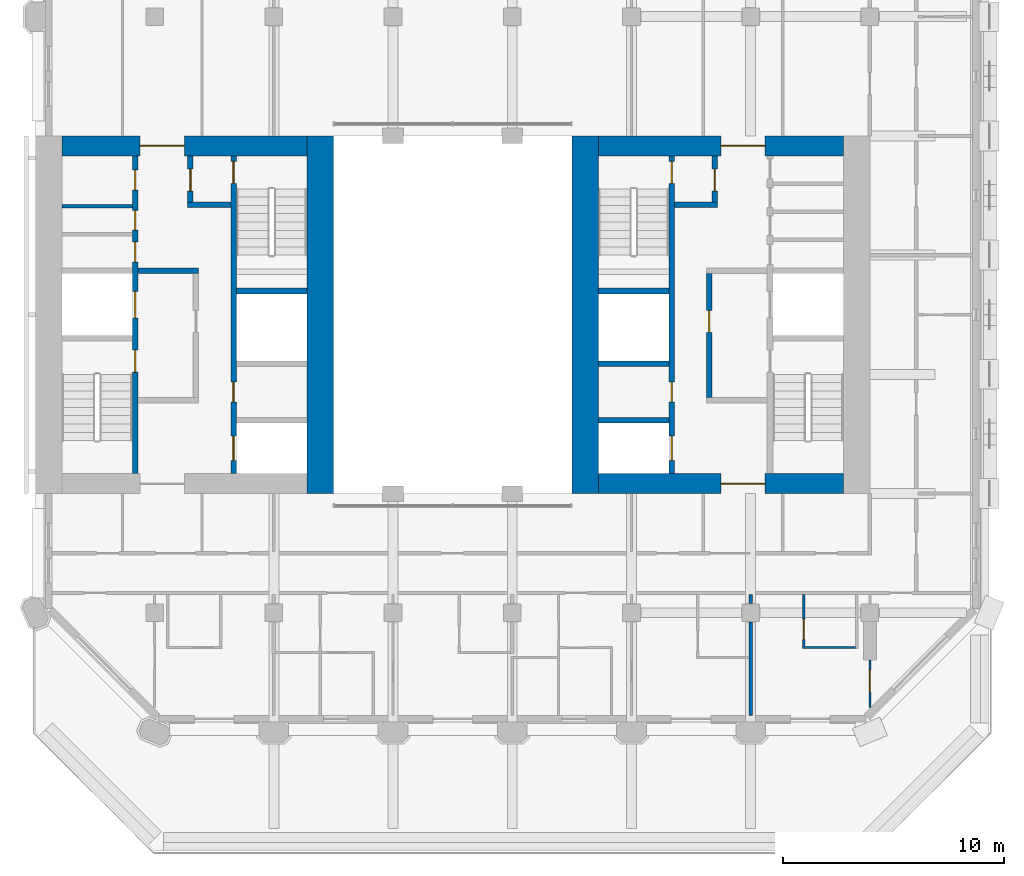
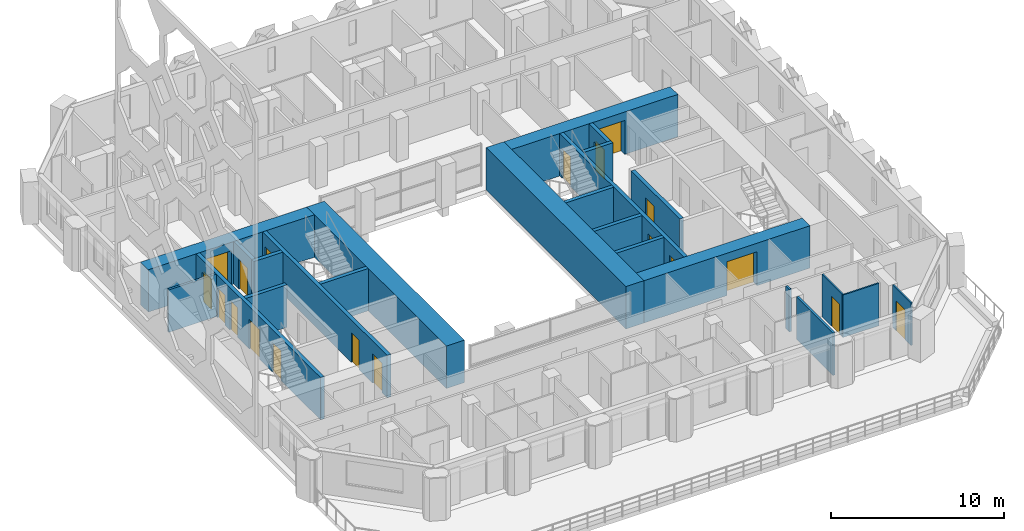
# One storey, part 10 of 17: 24 walls, 19 doors, 19 openings.
"""IFC4 building model written with IfcOpenShell, lengths in metres."""

from ifc_helpers import new_model, si_unit, direction, frame, frame_2d, origin, place, context, subcontext, project, spatial, rectangle, extrude, material, layer, layer_set, type_object, element, fill, save


model = new_model("IFC4")

# Units and contexts
model_context = context("Model", 3, precision=1e-05, world=origin(), true_north=direction((0.0, 1.0)))
body_context = subcontext(model_context, "Body", "Model", "MODEL_VIEW")
ifc_project = project(units=[si_unit("LENGTHUNIT", "METRE"), si_unit("AREAUNIT", "SQUARE_METRE"), si_unit("VOLUMEUNIT", "CUBIC_METRE"), si_unit("PLANEANGLEUNIT", "RADIAN"), si_unit("MASSUNIT", "GRAM", prefix="KILO")], contexts=[model_context])

# Site, building, storey
site_placement = place(None, origin())
site = spatial("IfcSite", under=ifc_project, at=site_placement, CompositionType="ELEMENT")
building_placement = place(site_placement, origin())
building = spatial("IfcBuilding", under=site, at=building_placement, Name="Tabaq Tower and Sports Hall", CompositionType="ELEMENT")
storey_placement = place(building_placement, frame((0.0, 0.0, 180.699951171875)))
storey = spatial("IfcBuildingStorey", under=building, at=storey_placement, Name="L43", CompositionType="ELEMENT", Elevation=180.699951171875)

# Walls
ifc_material_1 = material(Name="Blockwork", Category="masonry")
ifc_layer_1 = layer(ifc_material_1, 0.14990234375)
ifc_layer_set_1 = layer_set([ifc_layer_1], Name="Core room partition 150 Blockwork")
wall_type_1 = type_object("IfcWallType", Name="Core room partition 150 Blockwork", PredefinedType="PARTITIONING", material=ifc_layer_set_1)
wall_1_placement = place(storey_placement, frame((6.60009765625, 29.217041015625, 0.0), z_axis=(0.0, 0.0, 1.0), x_axis=(1.0, 0.0, 0.0)))
element("IfcWall", 1, at=wall_1_placement, inside=storey, type_object=wall_type_1, Name="Core room partition W L43", PredefinedType="PARTITIONING", context=body_context, shape_type="SweptSolid", body=[
    extrude(rectangle(XDim=3.199951171875, YDim=0.14990234375, at=frame_2d((1.60009765625, 0.0))), origin(), (0.0, 0.0, 1.0), 3.0),
])
ifc_material_2 = material(Name="Concrete C50/60", Category="concrete")
ifc_layer_2 = layer(ifc_material_2, 1.199951171875)
ifc_layer_set_2 = layer_set([ifc_layer_2], Name="Core wall 1200 Concrete C50/60")
wall_type_2 = type_object("IfcWallType", Name="Core wall 1200 Concrete C50/60", PredefinedType="SOLIDWALL", material=ifc_layer_set_2)
for number, where, z_axis, x_axis, name in (
    (2, (18.300048828125, 32.39990234375, 0.0), (0.0, 0.0, 1.0), (0.0, -1.0, 0.0), "Core wall W L43"),
    (3, (30.300048828125, 16.199951171875, 0.0), (0.0, 0.0, 1.0), (0.0, 1.0, 0.0), "Core wall E L43"),
):
    element("IfcWall", number, at=place(storey_placement, frame(where, z_axis=z_axis, x_axis=x_axis)), inside=storey, type_object=wall_type_2, Name=name, PredefinedType="SOLIDWALL", context=body_context, shape_type="SweptSolid", body=[
        extrude(rectangle(XDim=16.199951171875, YDim=1.199951171875, at=frame_2d((8.10009765625, 0.0))), origin(), (0.0, 0.0, 1.0), 3.0),
    ])

# Wall, opening, door
ifc_material_3 = material(Name="Concrete C50/60", Category="concrete")
ifc_layer_3 = layer(ifc_material_3, 0.89990234375)
ifc_layer_set_3 = layer_set([ifc_layer_3], Name="Core wall 900 Concrete C50/60")
wall_type_3 = type_object("IfcWallType", Name="Core wall 900 Concrete C50/60", PredefinedType="SOLIDWALL", material=ifc_layer_set_3)
wall_2_placement = place(storey_placement, frame((6.60009765625, 31.949951171875, 0.0), z_axis=(0.0, 0.0, 1.0), x_axis=(1.0, 0.0, 0.0)))
wall_2 = element("IfcWall", 4, at=wall_2_placement, inside=storey, type_object=wall_type_3, Name="Core wall W L43", PredefinedType="SOLIDWALL", context=body_context, shape_type="SweptSolid", body=[
    extrude(rectangle(XDim=11.099853515625, YDim=0.89990234375, at=frame_2d((5.5498046875, 0.0))), origin(), (0.0, 0.0, 1.0), 3.0),
])
opening_1_placement = place(wall_2_placement, frame((3.550048828125, 0.0, 0.0)))
opening_1 = element("IfcOpeningElement", 5, at=opening_1_placement, cuts=wall_2, Name="Opening PD-WL43-02", PredefinedType="OPENING", context=body_context, shape_type="SweptSolid", body=[
    extrude(rectangle(XDim=2.0, YDim=2.39990234375, at=frame_2d((1.0, 1.199951171875))), frame((0.0, 0.449951171875, 0.0), z_axis=(0.0, -1.0, 0.0), x_axis=(1.0, 0.0, 0.0)), (0.0, 0.0, 1.0), 0.89990234375),
])
ifc_material_4 = material(Name="Steel fire door", Category="steel")
door_type_1 = type_object("IfcDoorType", Name="Core entrance door 2000", OperationType="DOUBLE_DOOR_SINGLE_SWING", PredefinedType="DOOR", material=ifc_material_4)
door_1_placement = place(opening_1_placement, origin())
door_1 = element("IfcDoor", 6, at=door_1_placement, inside=storey, type_object=door_type_1, Name="Core entrance north W L43", OperationType="DOUBLE_DOOR_SINGLE_SWING", OverallHeight=2.39990234375, OverallWidth=2.0, PredefinedType="DOOR", context=body_context, shape_type="SweptSolid", body=[
    extrude(rectangle(XDim=2.0, YDim=2.39990234375, at=frame_2d((1.0, 1.199951171875))), frame((0.0, 0.02490234375, 0.0), z_axis=(0.0, -1.0, 0.0), x_axis=(1.0, 0.0, 0.0)), (0.0, 0.0, 1.0), 0.050048828125),
])
fill(opening_1, door_1)

wall_3_placement = place(storey_placement, frame((42.0, 16.64990234375, 0.0), z_axis=(0.0, 0.0, 1.0), x_axis=(-1.0, 0.0, 0.0)))
wall_3 = element("IfcWall", 7, at=wall_3_placement, inside=storey, type_object=wall_type_3, Name="Core wall E L43", PredefinedType="SOLIDWALL", context=body_context, shape_type="SweptSolid", body=[
    extrude(rectangle(XDim=11.10009765625, YDim=0.89990234375, at=frame_2d((5.550048828125, 0.0))), origin(), (0.0, 0.0, 1.0), 3.0),
])
opening_2_placement = place(wall_3_placement, frame((3.550048828125, 0.0, 0.0)))
opening_2 = element("IfcOpeningElement", 8, at=opening_2_placement, cuts=wall_3, Name="Opening PD-EL43-01", PredefinedType="OPENING", context=body_context, shape_type="SweptSolid", body=[
    extrude(rectangle(XDim=2.0, YDim=2.39990234375, at=frame_2d((1.0, 1.199951171875))), frame((0.0, 0.449951171875, 0.0), z_axis=(0.0, -1.0, 0.0), x_axis=(1.0, 0.0, 0.0)), (0.0, 0.0, 1.0), 0.89990234375),
])
door_2_placement = place(opening_2_placement, origin())
door_2 = element("IfcDoor", 9, at=door_2_placement, inside=storey, type_object=door_type_1, Name="Core entrance south E L43", OperationType="DOUBLE_DOOR_SINGLE_SWING", OverallHeight=2.39990234375, OverallWidth=2.0, PredefinedType="DOOR", context=body_context, shape_type="SweptSolid", body=[
    extrude(rectangle(XDim=2.0, YDim=2.39990234375, at=frame_2d((1.0, 1.199951171875))), frame((0.0, 0.02490234375, 0.0), z_axis=(0.0, -1.0, 0.0), x_axis=(1.0, 0.0, 0.0)), (0.0, 0.0, 1.0), 0.050048828125),
])
fill(opening_2, door_2)

wall_4_placement = place(storey_placement, frame((30.89990234375, 31.949951171875, 0.0), z_axis=(0.0, 0.0, 1.0), x_axis=(1.0, 0.0, 0.0)))
wall_4 = element("IfcWall", 10, at=wall_4_placement, inside=storey, type_object=wall_type_3, Name="Core wall E L43", PredefinedType="SOLIDWALL", context=body_context, shape_type="SweptSolid", body=[
    extrude(rectangle(XDim=11.10009765625, YDim=0.89990234375, at=frame_2d((5.550048828125, 0.0))), origin(), (0.0, 0.0, 1.0), 3.0),
])
opening_3_placement = place(wall_4_placement, frame((5.550048828125, 0.0, 0.0)))
opening_3 = element("IfcOpeningElement", 11, at=opening_3_placement, cuts=wall_4, Name="Opening PD-EL43-02", PredefinedType="OPENING", context=body_context, shape_type="SweptSolid", body=[
    extrude(rectangle(XDim=2.0, YDim=2.39990234375, at=frame_2d((1.0, 1.199951171875))), frame((0.0, 0.449951171875, 0.0), z_axis=(0.0, -1.0, 0.0), x_axis=(1.0, 0.0, 0.0)), (0.0, 0.0, 1.0), 0.89990234375),
])
door_3_placement = place(opening_3_placement, origin())
door_3 = element("IfcDoor", 12, at=door_3_placement, inside=storey, type_object=door_type_1, Name="Core entrance north E L43", OperationType="DOUBLE_DOOR_SINGLE_SWING", OverallHeight=2.39990234375, OverallWidth=2.0, PredefinedType="DOOR", context=body_context, shape_type="SweptSolid", body=[
    extrude(rectangle(XDim=2.0, YDim=2.39990234375, at=frame_2d((1.0, 1.199951171875))), frame((0.0, 0.02490234375, 0.0), z_axis=(0.0, -1.0, 0.0), x_axis=(1.0, 0.0, 0.0)), (0.0, 0.0, 1.0), 0.050048828125),
])
fill(opening_3, door_3)

ifc_material_5 = material(Name="Gypsum board on steel studs", Category="steel")
ifc_layer_4 = layer(ifc_material_5, 0.10009765625)
ifc_layer_set_4 = layer_set([ifc_layer_4], Name="Partition 100 Gypsum board")
wall_type_4 = type_object("IfcWallType", Name="Partition 100 Gypsum board", PredefinedType="PARTITIONING", material=ifc_layer_set_4)
wall_5_placement = place(storey_placement, frame((43.199951171875, 6.51220703125, 0.0), z_axis=(0.0, 0.0, 1.0), x_axis=(0.0, 1.0, 0.0)))
wall_5 = element("IfcWall", 13, at=wall_5_placement, inside=storey, type_object=wall_type_4, Name="Partition wall L43", PredefinedType="PARTITIONING", context=body_context, shape_type="SweptSolid", body=[
    extrude(rectangle(XDim=2.1376953125, YDim=0.10009765625, at=frame_2d((1.06884765625, 0.0))), origin(), (0.0, 0.0, 1.0), 3.0),
])
opening_4_placement = place(wall_5_placement, frame((0.703857421875, 0.0, 0.0)))
opening_4 = element("IfcOpeningElement", 14, at=opening_4_placement, cuts=wall_5, Name="Opening L43-044", PredefinedType="OPENING", context=body_context, shape_type="SweptSolid", body=[
    extrude(rectangle(XDim=1.0, YDim=2.10009765625, at=frame_2d((0.5, 1.050048828125))), frame((0.0, 0.050048828125, 0.0), z_axis=(0.0, -1.0, 0.0), x_axis=(1.0, 0.0, 0.0)), (0.0, 0.0, 1.0), 0.10009765625),
])
ifc_material_6 = material(Name="Timber leaf in steel frame", Category="steel")
door_type_2 = type_object("IfcDoorType", Name="Internal door 1000 right hand", OperationType="SINGLE_SWING_RIGHT", PredefinedType="DOOR", material=ifc_material_6)
door_4_placement = place(opening_4_placement, origin())
door_4 = element("IfcDoor", 15, at=door_4_placement, inside=storey, type_object=door_type_2, Name="Internal door L43-044", OperationType="SINGLE_SWING_RIGHT", OverallHeight=2.10009765625, OverallWidth=1.0, PredefinedType="DOOR", context=body_context, shape_type="SweptSolid", body=[
    extrude(rectangle(XDim=1.0, YDim=2.10009765625, at=frame_2d((0.5, 1.050048828125))), frame((0.0, 0.02490234375, 0.0), z_axis=(0.0, -1.0, 0.0), x_axis=(1.0, 0.0, 0.0)), (0.0, 0.0, 1.0), 0.050048828125),
])
fill(opening_4, door_4)

# Wall
wall_6_placement = place(storey_placement, frame((42.550048828125, 9.22509765625, 0.0), z_axis=(0.0, 0.0, 1.0), x_axis=(-1.0, 0.0, 0.0)))
element("IfcWall", 16, at=wall_6_placement, inside=storey, type_object=wall_type_4, Name="Partition wall L43", PredefinedType="PARTITIONING", context=body_context, shape_type="SweptSolid", body=[
    extrude(rectangle(XDim=2.400146484375, YDim=0.10009765625, at=frame_2d((1.2001953125, 0.0))), origin(), (0.0, 0.0, 1.0), 3.0),
])

# Wall, opening, door
wall_7_placement = place(storey_placement, frame((40.199951171875, 9.27490234375, 0.0), z_axis=(0.0, 0.0, 1.0), x_axis=(0.0, 1.0, 0.0)))
wall_7 = element("IfcWall", 17, at=wall_7_placement, inside=storey, type_object=wall_type_4, Name="Partition wall L43", PredefinedType="PARTITIONING", context=body_context, shape_type="SweptSolid", body=[
    extrude(rectangle(XDim=2.35009765625, YDim=0.10009765625, at=frame_2d((1.175048828125, 0.0))), origin(), (0.0, 0.0, 1.0), 3.0),
])
opening_5_placement = place(wall_7_placement, frame((0.324951171875, 0.0, 0.0)))
opening_5 = element("IfcOpeningElement", 18, at=opening_5_placement, cuts=wall_7, Name="Opening L43-023", PredefinedType="OPENING", context=body_context, shape_type="SweptSolid", body=[
    extrude(rectangle(XDim=0.89990234375, YDim=2.10009765625, at=frame_2d((0.449951171875, 1.050048828125))), frame((0.0, 0.050048828125, 0.0), z_axis=(0.0, -1.0, 0.0), x_axis=(1.0, 0.0, 0.0)), (0.0, 0.0, 1.0), 0.10009765625),
])
ifc_material_7 = material(Name="Timber leaf in steel frame", Category="steel")
door_type_3 = type_object("IfcDoorType", Name="Internal door 900 right hand", OperationType="SINGLE_SWING_RIGHT", PredefinedType="DOOR", material=ifc_material_7)
door_5_placement = place(opening_5_placement, origin())
door_5 = element("IfcDoor", 19, at=door_5_placement, inside=storey, type_object=door_type_3, Name="Internal door L43-023", OperationType="SINGLE_SWING_RIGHT", OverallHeight=2.10009765625, OverallWidth=0.89990234375, PredefinedType="DOOR", context=body_context, shape_type="SweptSolid", body=[
    extrude(rectangle(XDim=0.89990234375, YDim=2.10009765625, at=frame_2d((0.449951171875, 1.050048828125))), frame((0.0, 0.02490234375, 0.0), z_axis=(0.0, -1.0, 0.0), x_axis=(1.0, 0.0, 0.0)), (0.0, 0.0, 1.0), 0.050048828125),
])
fill(opening_5, door_5)

# Walls
ifc_material_8 = material(Name="Blockwork", Category="masonry")
ifc_layer_5 = layer(ifc_material_8, 0.14990234375)
ifc_layer_set_5 = layer_set([ifc_layer_5], Name="Separating wall 150 Blockwork")
wall_type_5 = type_object("IfcWallType", Name="Separating wall 150 Blockwork", PredefinedType="PARTITIONING", material=ifc_layer_set_5)
wall_8_placement = place(storey_placement, frame((37.800048828125, 6.15087890625, 0.0), z_axis=(0.0, 0.0, 1.0), x_axis=(0.0, 1.0, 0.0)))
element("IfcWall", 20, at=wall_8_placement, inside=storey, type_object=wall_type_5, Name="Separating wall L43", PredefinedType="PARTITIONING", context=body_context, shape_type="SweptSolid", body=[
    extrude(rectangle(XDim=4.22900390625, YDim=0.14990234375, at=frame_2d((2.114501953125, 0.0))), origin(), (0.0, 0.0, 1.0), 3.0),
])
wall_9_placement = place(storey_placement, frame((37.800048828125, 11.219970703125, 0.0), z_axis=(0.0, 0.0, 1.0), x_axis=(0.0, 1.0, 0.0)))
element("IfcWall", 21, at=wall_9_placement, inside=storey, type_object=wall_type_5, Name="Separating wall L43", PredefinedType="PARTITIONING", context=body_context, shape_type="SweptSolid", body=[
    extrude(rectangle(XDim=0.405029296875, YDim=0.14990234375, at=frame_2d((0.20263671875, 0.0))), origin(), (0.0, 0.0, 1.0), 3.0),
])

# Wall, openings, doors
ifc_material_9 = material(Name="Concrete C40/50", Category="concrete")
ifc_layer_6 = layer(ifc_material_9, 0.25)
ifc_layer_set_6 = layer_set([ifc_layer_6], Name="Shaft and stair wall 250 Concrete C40/50")
wall_type_6 = type_object("IfcWallType", Name="Shaft and stair wall 250 Concrete C40/50", PredefinedType="SOLIDWALL", material=ifc_layer_set_6)
wall_10_placement = place(storey_placement, frame((9.925048828125, 17.10009765625, 0.0), z_axis=(0.0, 0.0, 1.0), x_axis=(0.0, 1.0, 0.0)))
wall_10 = element("IfcWall", 22, at=wall_10_placement, inside=storey, type_object=wall_type_6, Name="Shaft wall W L43", PredefinedType="SOLIDWALL", context=body_context, shape_type="SweptSolid", body=[
    extrude(rectangle(XDim=14.39990234375, YDim=0.25, at=frame_2d((7.199951171875, 0.0))), origin(), (0.0, 0.0, 1.0), 3.0),
])
opening_6_placement = place(wall_10_placement, frame((4.60009765625, 0.0, 0.0)))
opening_6 = element("IfcOpeningElement", 23, at=opening_6_placement, cuts=wall_10, Name="Opening SD-WL43-03", PredefinedType="OPENING", context=body_context, shape_type="SweptSolid", body=[
    extrude(rectangle(XDim=1.0, YDim=2.10009765625, at=frame_2d((0.5, 1.050048828125))), frame((0.0, 0.125, 0.0), z_axis=(0.0, -1.0, 0.0), x_axis=(1.0, 0.0, 0.0)), (0.0, 0.0, 1.0), 0.25),
])
opening_7_placement = place(wall_10_placement, frame((7.0625, 0.0, 0.0)))
opening_7 = element("IfcOpeningElement", 24, at=opening_7_placement, cuts=wall_10, Name="Opening LD-FF1-L43", PredefinedType="OPENING", context=body_context, shape_type="SweptSolid", body=[
    extrude(rectangle(XDim=1.199951171875, YDim=2.10009765625, at=frame_2d((0.60009765625, 1.050048828125))), frame((0.0, 0.125, 0.0), z_axis=(0.0, -1.0, 0.0), x_axis=(1.0, 0.0, 0.0)), (0.0, 0.0, 1.0), 0.25),
])
opening_8_placement = place(wall_10_placement, frame((9.59912109375, 0.0, 0.0)))
opening_8 = element("IfcOpeningElement", 25, at=opening_8_placement, cuts=wall_10, Name="Opening RD-WL43-09", PredefinedType="OPENING", context=body_context, shape_type="SweptSolid", body=[
    extrude(rectangle(XDim=0.89990234375, YDim=2.10009765625, at=frame_2d((0.449951171875, 1.050048828125))), frame((0.0, 0.125, 0.0), z_axis=(0.0, -1.0, 0.0), x_axis=(1.0, 0.0, 0.0)), (0.0, 0.0, 1.0), 0.25),
])
opening_9_placement = place(wall_10_placement, frame((11.032470703125, 0.0, 0.0)))
opening_9 = element("IfcOpeningElement", 26, at=opening_9_placement, cuts=wall_10, Name="Opening RD-WL43-10", PredefinedType="OPENING", context=body_context, shape_type="SweptSolid", body=[
    extrude(rectangle(XDim=0.89990234375, YDim=2.10009765625, at=frame_2d((0.449951171875, 1.050048828125))), frame((0.0, 0.125, 0.0), z_axis=(0.0, -1.0, 0.0), x_axis=(1.0, 0.0, 0.0)), (0.0, 0.0, 1.0), 0.25),
])
opening_10_placement = place(wall_10_placement, frame((12.845947265625, 0.0, 0.0)))
opening_10 = element("IfcOpeningElement", 27, at=opening_10_placement, cuts=wall_10, Name="Opening RD-WL43-11", PredefinedType="OPENING", context=body_context, shape_type="SweptSolid", body=[
    extrude(rectangle(XDim=0.89990234375, YDim=2.10009765625, at=frame_2d((0.449951171875, 1.050048828125))), frame((0.0, 0.125, 0.0), z_axis=(0.0, -1.0, 0.0), x_axis=(1.0, 0.0, 0.0)), (0.0, 0.0, 1.0), 0.25),
])
ifc_material_10 = material(Name="Steel fire door", Category="steel")
door_type_4 = type_object("IfcDoorType", Name="Core room door 900", OperationType="SINGLE_SWING_LEFT", PredefinedType="DOOR", material=ifc_material_10)
door_6_placement = place(opening_8_placement, origin())
door_6 = element("IfcDoor", 28, at=door_6_placement, inside=storey, type_object=door_type_4, Name="Door Accessible WC W L43", OperationType="SINGLE_SWING_LEFT", OverallHeight=2.10009765625, OverallWidth=0.89990234375, PredefinedType="DOOR", context=body_context, shape_type="SweptSolid", body=[
    extrude(rectangle(XDim=0.89990234375, YDim=2.10009765625, at=frame_2d((0.449951171875, 1.050048828125))), frame((0.0, 0.02490234375, 0.0), z_axis=(0.0, -1.0, 0.0), x_axis=(1.0, 0.0, 0.0)), (0.0, 0.0, 1.0), 0.050048828125),
])
fill(opening_8, door_6)
door_7_placement = place(opening_9_placement, origin())
door_7 = element("IfcDoor", 29, at=door_7_placement, inside=storey, type_object=door_type_4, Name="Door Electrical Riser Room W L43", OperationType="SINGLE_SWING_LEFT", OverallHeight=2.10009765625, OverallWidth=0.89990234375, PredefinedType="DOOR", context=body_context, shape_type="SweptSolid", body=[
    extrude(rectangle(XDim=0.89990234375, YDim=2.10009765625, at=frame_2d((0.449951171875, 1.050048828125))), frame((0.0, 0.02490234375, 0.0), z_axis=(0.0, -1.0, 0.0), x_axis=(1.0, 0.0, 0.0)), (0.0, 0.0, 1.0), 0.050048828125),
])
fill(opening_9, door_7)
door_8_placement = place(opening_10_placement, origin())
door_8 = element("IfcDoor", 30, at=door_8_placement, inside=storey, type_object=door_type_4, Name="Door Unisex WC W L43", OperationType="SINGLE_SWING_LEFT", OverallHeight=2.10009765625, OverallWidth=0.89990234375, PredefinedType="DOOR", context=body_context, shape_type="SweptSolid", body=[
    extrude(rectangle(XDim=0.89990234375, YDim=2.10009765625, at=frame_2d((0.449951171875, 1.050048828125))), frame((0.0, 0.02490234375, 0.0), z_axis=(0.0, -1.0, 0.0), x_axis=(1.0, 0.0, 0.0)), (0.0, 0.0, 1.0), 0.050048828125),
])
fill(opening_10, door_8)
ifc_material_11 = material(Name="Stainless steel", Category="steel")
door_type_5 = type_object("IfcDoorType", Name="Lift landing door 1200", OperationType="DOUBLE_DOOR_SLIDING", PredefinedType="DOOR", material=ifc_material_11)
door_9_placement = place(opening_7_placement, origin())
door_9 = element("IfcDoor", 31, at=door_9_placement, inside=storey, type_object=door_type_5, Name="Lift landing door FF1 W L43", OperationType="DOUBLE_DOOR_SLIDING", OverallHeight=2.10009765625, OverallWidth=1.199951171875, PredefinedType="DOOR", context=body_context, shape_type="SweptSolid", body=[
    extrude(rectangle(XDim=1.199951171875, YDim=2.10009765625, at=frame_2d((0.60009765625, 1.050048828125))), frame((0.0, 0.02490234375, 0.0), z_axis=(0.0, -1.0, 0.0), x_axis=(1.0, 0.0, 0.0)), (0.0, 0.0, 1.0), 0.050048828125),
])
fill(opening_7, door_9)
ifc_material_12 = material(Name="Steel fire door", Category="steel")
door_type_6 = type_object("IfcDoorType", Name="Stair door 1000", OperationType="SINGLE_SWING_LEFT", PredefinedType="DOOR", material=ifc_material_12)
door_10_placement = place(opening_6_placement, origin())
door_10 = element("IfcDoor", 32, at=door_10_placement, inside=storey, type_object=door_type_6, Name="Stair door ST1 W L43", OperationType="SINGLE_SWING_LEFT", OverallHeight=2.10009765625, OverallWidth=1.0, PredefinedType="DOOR", context=body_context, shape_type="SweptSolid", body=[
    extrude(rectangle(XDim=1.0, YDim=2.10009765625, at=frame_2d((0.5, 1.050048828125))), frame((0.0, 0.02490234375, 0.0), z_axis=(0.0, -1.0, 0.0), x_axis=(1.0, 0.0, 0.0)), (0.0, 0.0, 1.0), 0.050048828125),
])
fill(opening_6, door_10)

wall_11_placement = place(storey_placement, frame((14.375, 17.10009765625, 0.0), z_axis=(0.0, 0.0, 1.0), x_axis=(0.0, 1.0, 0.0)))
wall_11 = element("IfcWall", 33, at=wall_11_placement, inside=storey, type_object=wall_type_6, Name="Shaft wall W L43", PredefinedType="SOLIDWALL", context=body_context, shape_type="SweptSolid", body=[
    extrude(rectangle(XDim=14.39990234375, YDim=0.25, at=frame_2d((7.199951171875, 0.0))), origin(), (0.0, 0.0, 1.0), 3.0),
])
opening_11_placement = place(wall_11_placement, frame((13.14990234375, 0.0, 0.0)))
opening_11 = element("IfcOpeningElement", 34, at=opening_11_placement, cuts=wall_11, Name="Opening SD-WL43-05", PredefinedType="OPENING", context=body_context, shape_type="SweptSolid", body=[
    extrude(rectangle(XDim=1.0, YDim=2.10009765625, at=frame_2d((0.5, 1.050048828125))), frame((0.0, 0.125, 0.0), z_axis=(0.0, -1.0, 0.0), x_axis=(1.0, 0.0, 0.0)), (0.0, 0.0, 1.0), 0.25),
])
opening_12_placement = place(wall_11_placement, frame((0.60009765625, 0.0, 0.0)))
opening_12 = element("IfcOpeningElement", 35, at=opening_12_placement, cuts=wall_11, Name="Opening LD-MR1-L43", PredefinedType="OPENING", context=body_context, shape_type="SweptSolid", body=[
    extrude(rectangle(XDim=1.10009765625, YDim=2.10009765625, at=frame_2d((0.550048828125, 1.050048828125))), frame((0.0, 0.125, 0.0), z_axis=(0.0, -1.0, 0.0), x_axis=(1.0, 0.0, 0.0)), (0.0, 0.0, 1.0), 0.25),
])
opening_13_placement = place(wall_11_placement, frame((3.25, 0.0, 0.0)))
opening_13 = element("IfcOpeningElement", 36, at=opening_13_placement, cuts=wall_11, Name="Opening RD-WL43-12", PredefinedType="OPENING", context=body_context, shape_type="SweptSolid", body=[
    extrude(rectangle(XDim=0.89990234375, YDim=2.10009765625, at=frame_2d((0.449951171875, 1.050048828125))), frame((0.0, 0.125, 0.0), z_axis=(0.0, -1.0, 0.0), x_axis=(1.0, 0.0, 0.0)), (0.0, 0.0, 1.0), 0.25),
])
door_11_placement = place(opening_13_placement, origin())
door_11 = element("IfcDoor", 37, at=door_11_placement, inside=storey, type_object=door_type_4, Name="Door Cleaner's Store W L43", OperationType="SINGLE_SWING_LEFT", OverallHeight=2.10009765625, OverallWidth=0.89990234375, PredefinedType="DOOR", context=body_context, shape_type="SweptSolid", body=[
    extrude(rectangle(XDim=0.89990234375, YDim=2.10009765625, at=frame_2d((0.449951171875, 1.050048828125))), frame((0.0, 0.02490234375, 0.0), z_axis=(0.0, -1.0, 0.0), x_axis=(1.0, 0.0, 0.0)), (0.0, 0.0, 1.0), 0.050048828125),
])
fill(opening_13, door_11)
ifc_material_13 = material(Name="Stainless steel", Category="steel")
door_type_7 = type_object("IfcDoorType", Name="Lift landing door 1100", OperationType="DOUBLE_DOOR_SLIDING", PredefinedType="DOOR", material=ifc_material_13)
door_12_placement = place(opening_12_placement, origin())
door_12 = element("IfcDoor", 38, at=door_12_placement, inside=storey, type_object=door_type_7, Name="Lift landing door MR1 W L43", OperationType="DOUBLE_DOOR_SLIDING", OverallHeight=2.10009765625, OverallWidth=1.10009765625, PredefinedType="DOOR", context=body_context, shape_type="SweptSolid", body=[
    extrude(rectangle(XDim=1.10009765625, YDim=2.10009765625, at=frame_2d((0.550048828125, 1.050048828125))), frame((0.0, 0.02490234375, 0.0), z_axis=(0.0, -1.0, 0.0), x_axis=(1.0, 0.0, 0.0)), (0.0, 0.0, 1.0), 0.050048828125),
])
fill(opening_12, door_12)
door_13_placement = place(opening_11_placement, origin())
door_13 = element("IfcDoor", 39, at=door_13_placement, inside=storey, type_object=door_type_6, Name="Stair door ST2 W L43", OperationType="SINGLE_SWING_LEFT", OverallHeight=2.10009765625, OverallWidth=1.0, PredefinedType="DOOR", context=body_context, shape_type="SweptSolid", body=[
    extrude(rectangle(XDim=1.0, YDim=2.10009765625, at=frame_2d((0.5, 1.050048828125))), frame((0.0, 0.02490234375, 0.0), z_axis=(0.0, -1.0, 0.0), x_axis=(1.0, 0.0, 0.0)), (0.0, 0.0, 1.0), 0.050048828125),
])
fill(opening_11, door_13)

# Walls
wall_12_placement = place(storey_placement, frame((14.5, 25.375, 0.0), z_axis=(0.0, 0.0, 1.0), x_axis=(1.0, 0.0, 0.0)))
element("IfcWall", 40, at=wall_12_placement, inside=storey, type_object=wall_type_6, Name="Stair enclosure wall W L43", PredefinedType="SOLIDWALL", context=body_context, shape_type="SweptSolid", body=[
    extrude(rectangle(XDim=3.199951171875, YDim=0.25, at=frame_2d((1.60009765625, 0.0))), origin(), (0.0, 0.0, 1.0), 3.0),
])
wall_13_placement = place(storey_placement, frame((10.050048828125, 26.300048828125, 0.0), z_axis=(0.0, 0.0, 1.0), x_axis=(1.0, 0.0, 0.0)))
element("IfcWall", 41, at=wall_13_placement, inside=storey, type_object=wall_type_6, Name="Fire-fighting lobby wall W L43", PredefinedType="SOLIDWALL", context=body_context, shape_type="SweptSolid", body=[
    extrude(rectangle(XDim=2.75, YDim=0.25, at=frame_2d((1.375, 0.0))), origin(), (0.0, 0.0, 1.0), 3.0),
])

# Wall, opening, door
wall_14_placement = place(storey_placement, frame((12.425048828125, 29.39990234375, 0.0), z_axis=(0.0, 0.0, 1.0), x_axis=(0.0, 1.0, 0.0)))
wall_14 = element("IfcWall", 42, at=wall_14_placement, inside=storey, type_object=wall_type_6, Name="Fire-fighting lobby wall W L43", PredefinedType="SOLIDWALL", context=body_context, shape_type="SweptSolid", body=[
    extrude(rectangle(XDim=2.10009765625, YDim=0.25, at=frame_2d((1.050048828125, 0.0))), origin(), (0.0, 0.0, 1.0), 3.0),
])
opening_14_placement = place(wall_14_placement, frame((0.5, 0.0, 0.0)))
opening_14 = element("IfcOpeningElement", 43, at=opening_14_placement, cuts=wall_14, Name="Opening FD-WL43-06", PredefinedType="OPENING", context=body_context, shape_type="SweptSolid", body=[
    extrude(rectangle(XDim=1.0, YDim=2.10009765625, at=frame_2d((0.5, 1.050048828125))), frame((0.0, 0.125, 0.0), z_axis=(0.0, -1.0, 0.0), x_axis=(1.0, 0.0, 0.0)), (0.0, 0.0, 1.0), 0.25),
])
ifc_material_14 = material(Name="Steel fire door", Category="steel")
door_type_8 = type_object("IfcDoorType", Name="Fire-fighting lobby door 1000", OperationType="SINGLE_SWING_LEFT", PredefinedType="DOOR", material=ifc_material_14)
door_14_placement = place(opening_14_placement, origin())
door_14 = element("IfcDoor", 44, at=door_14_placement, inside=storey, type_object=door_type_8, Name="Stair lobby door W L43", OperationType="SINGLE_SWING_LEFT", OverallHeight=2.10009765625, OverallWidth=1.0, PredefinedType="DOOR", context=body_context, shape_type="SweptSolid", body=[
    extrude(rectangle(XDim=1.0, YDim=2.10009765625, at=frame_2d((0.5, 1.050048828125))), frame((0.0, 0.02490234375, 0.0), z_axis=(0.0, -1.0, 0.0), x_axis=(1.0, 0.0, 0.0)), (0.0, 0.0, 1.0), 0.050048828125),
])
fill(opening_14, door_14)

# Wall
wall_15_placement = place(storey_placement, frame((12.300048828125, 29.27490234375, 0.0), z_axis=(0.0, 0.0, 1.0), x_axis=(1.0, 0.0, 0.0)))
element("IfcWall", 45, at=wall_15_placement, inside=storey, type_object=wall_type_6, Name="Fire-fighting lobby wall W L43", PredefinedType="SOLIDWALL", context=body_context, shape_type="SweptSolid", body=[
    extrude(rectangle(XDim=1.949951171875, YDim=0.25, at=frame_2d((0.97509765625, 0.0))), origin(), (0.0, 0.0, 1.0), 3.0),
])

# Wall, openings, doors
wall_16_placement = place(storey_placement, frame((34.22509765625, 17.10009765625, 0.0), z_axis=(0.0, 0.0, 1.0), x_axis=(0.0, 1.0, 0.0)))
wall_16 = element("IfcWall", 46, at=wall_16_placement, inside=storey, type_object=wall_type_6, Name="Shaft wall E L43", PredefinedType="SOLIDWALL", context=body_context, shape_type="SweptSolid", body=[
    extrude(rectangle(XDim=14.39990234375, YDim=0.25, at=frame_2d((7.199951171875, 0.0))), origin(), (0.0, 0.0, 1.0), 3.0),
])
opening_15_placement = place(wall_16_placement, frame((13.14990234375, 0.0, 0.0)))
opening_15 = element("IfcOpeningElement", 47, at=opening_15_placement, cuts=wall_16, Name="Opening SD-EL43-05", PredefinedType="OPENING", context=body_context, shape_type="SweptSolid", body=[
    extrude(rectangle(XDim=1.0, YDim=2.10009765625, at=frame_2d((0.5, 1.050048828125))), frame((0.0, 0.125, 0.0), z_axis=(0.0, -1.0, 0.0), x_axis=(1.0, 0.0, 0.0)), (0.0, 0.0, 1.0), 0.25),
])
opening_16_placement = place(wall_16_placement, frame((0.60009765625, 0.0, 0.0)))
opening_16 = element("IfcOpeningElement", 48, at=opening_16_placement, cuts=wall_16, Name="Opening LD-MR2-L43", PredefinedType="OPENING", context=body_context, shape_type="SweptSolid", body=[
    extrude(rectangle(XDim=1.10009765625, YDim=2.10009765625, at=frame_2d((0.550048828125, 1.050048828125))), frame((0.0, 0.125, 0.0), z_axis=(0.0, -1.0, 0.0), x_axis=(1.0, 0.0, 0.0)), (0.0, 0.0, 1.0), 0.25),
])
opening_17_placement = place(wall_16_placement, frame((3.25, 0.0, 0.0)))
opening_17 = element("IfcOpeningElement", 49, at=opening_17_placement, cuts=wall_16, Name="Opening RD-EL43-13", PredefinedType="OPENING", context=body_context, shape_type="SweptSolid", body=[
    extrude(rectangle(XDim=0.89990234375, YDim=2.10009765625, at=frame_2d((0.449951171875, 1.050048828125))), frame((0.0, 0.125, 0.0), z_axis=(0.0, -1.0, 0.0), x_axis=(1.0, 0.0, 0.0)), (0.0, 0.0, 1.0), 0.25),
])
door_15_placement = place(opening_17_placement, origin())
door_15 = element("IfcDoor", 50, at=door_15_placement, inside=storey, type_object=door_type_4, Name="Door Cleaner's Store E L43", OperationType="SINGLE_SWING_LEFT", OverallHeight=2.10009765625, OverallWidth=0.89990234375, PredefinedType="DOOR", context=body_context, shape_type="SweptSolid", body=[
    extrude(rectangle(XDim=0.89990234375, YDim=2.10009765625, at=frame_2d((0.449951171875, 1.050048828125))), frame((0.0, 0.02490234375, 0.0), z_axis=(0.0, -1.0, 0.0), x_axis=(1.0, 0.0, 0.0)), (0.0, 0.0, 1.0), 0.050048828125),
])
fill(opening_17, door_15)
door_16_placement = place(opening_16_placement, origin())
door_16 = element("IfcDoor", 51, at=door_16_placement, inside=storey, type_object=door_type_7, Name="Lift landing door MR2 E L43", OperationType="DOUBLE_DOOR_SLIDING", OverallHeight=2.10009765625, OverallWidth=1.10009765625, PredefinedType="DOOR", context=body_context, shape_type="SweptSolid", body=[
    extrude(rectangle(XDim=1.10009765625, YDim=2.10009765625, at=frame_2d((0.550048828125, 1.050048828125))), frame((0.0, 0.02490234375, 0.0), z_axis=(0.0, -1.0, 0.0), x_axis=(1.0, 0.0, 0.0)), (0.0, 0.0, 1.0), 0.050048828125),
])
fill(opening_16, door_16)
door_17_placement = place(opening_15_placement, origin())
door_17 = element("IfcDoor", 52, at=door_17_placement, inside=storey, type_object=door_type_6, Name="Stair door ST4 E L43", OperationType="SINGLE_SWING_LEFT", OverallHeight=2.10009765625, OverallWidth=1.0, PredefinedType="DOOR", context=body_context, shape_type="SweptSolid", body=[
    extrude(rectangle(XDim=1.0, YDim=2.10009765625, at=frame_2d((0.5, 1.050048828125))), frame((0.0, 0.02490234375, 0.0), z_axis=(0.0, -1.0, 0.0), x_axis=(1.0, 0.0, 0.0)), (0.0, 0.0, 1.0), 0.050048828125),
])
fill(opening_15, door_17)

# Walls
for number, where, z_axis, x_axis, name in (
    (53, (30.89990234375, 25.375, 0.0), (0.0, 0.0, 1.0), (1.0, 0.0, 0.0), "Stair enclosure wall E L43"),
    (54, (30.89990234375, 22.074951171875, 0.0), (0.0, 0.0, 1.0), (1.0, 0.0, 0.0), "Shaft wall E L43"),
):
    element("IfcWall", number, at=place(storey_placement, frame(where, z_axis=z_axis, x_axis=x_axis)), inside=storey, type_object=wall_type_6, Name=name, PredefinedType="SOLIDWALL", context=body_context, shape_type="SweptSolid", body=[
        extrude(rectangle(XDim=3.2001953125, YDim=0.25, at=frame_2d((1.60009765625, 0.0))), origin(), (0.0, 0.0, 1.0), 3.0),
    ])

# Wall, opening, door
wall_17_placement = place(storey_placement, frame((36.175048828125, 29.39990234375, 0.0), z_axis=(0.0, 0.0, 1.0), x_axis=(0.0, 1.0, 0.0)))
wall_17 = element("IfcWall", 55, at=wall_17_placement, inside=storey, type_object=wall_type_6, Name="Fire-fighting lobby wall E L43", PredefinedType="SOLIDWALL", context=body_context, shape_type="SweptSolid", body=[
    extrude(rectangle(XDim=2.10009765625, YDim=0.25, at=frame_2d((1.050048828125, 0.0))), origin(), (0.0, 0.0, 1.0), 3.0),
])
opening_18_placement = place(wall_17_placement, frame((0.5, 0.0, 0.0)))
opening_18 = element("IfcOpeningElement", 56, at=opening_18_placement, cuts=wall_17, Name="Opening FD-EL43-06", PredefinedType="OPENING", context=body_context, shape_type="SweptSolid", body=[
    extrude(rectangle(XDim=1.0, YDim=2.10009765625, at=frame_2d((0.5, 1.050048828125))), frame((0.0, 0.125, 0.0), z_axis=(0.0, -1.0, 0.0), x_axis=(1.0, 0.0, 0.0)), (0.0, 0.0, 1.0), 0.25),
])
door_18_placement = place(opening_18_placement, origin())
door_18 = element("IfcDoor", 57, at=door_18_placement, inside=storey, type_object=door_type_8, Name="Stair lobby door E L43", OperationType="SINGLE_SWING_LEFT", OverallHeight=2.10009765625, OverallWidth=1.0, PredefinedType="DOOR", context=body_context, shape_type="SweptSolid", body=[
    extrude(rectangle(XDim=1.0, YDim=2.10009765625, at=frame_2d((0.5, 1.050048828125))), frame((0.0, 0.02490234375, 0.0), z_axis=(0.0, -1.0, 0.0), x_axis=(1.0, 0.0, 0.0)), (0.0, 0.0, 1.0), 0.050048828125),
])
fill(opening_18, door_18)

# Wall
wall_18_placement = place(storey_placement, frame((34.35009765625, 29.27490234375, 0.0), z_axis=(0.0, 0.0, 1.0), x_axis=(1.0, 0.0, 0.0)))
element("IfcWall", 58, at=wall_18_placement, inside=storey, type_object=wall_type_6, Name="Fire-fighting lobby wall E L43", PredefinedType="SOLIDWALL", context=body_context, shape_type="SweptSolid", body=[
    extrude(rectangle(XDim=1.949951171875, YDim=0.25, at=frame_2d((0.97509765625, 0.0))), origin(), (0.0, 0.0, 1.0), 3.0),
])

# Wall, opening, door
wall_19_placement = place(storey_placement, frame((35.925048828125, 20.550048828125, 0.0), z_axis=(0.0, 0.0, 1.0), x_axis=(0.0, 1.0, 0.0)))
wall_19 = element("IfcWall", 59, at=wall_19_placement, inside=storey, type_object=wall_type_6, Name="Fire-fighting lobby wall E L43", PredefinedType="SOLIDWALL", context=body_context, shape_type="SweptSolid", body=[
    extrude(rectangle(XDim=5.625, YDim=0.25, at=frame_2d((2.8125, 0.0))), origin(), (0.0, 0.0, 1.0), 3.0),
])
opening_19_placement = place(wall_19_placement, frame((2.949951171875, 0.0, 0.0)))
opening_19 = element("IfcOpeningElement", 60, at=opening_19_placement, cuts=wall_19, Name="Opening FD-EL43-04", PredefinedType="OPENING", context=body_context, shape_type="SweptSolid", body=[
    extrude(rectangle(XDim=1.0, YDim=2.10009765625, at=frame_2d((0.5, 1.050048828125))), frame((0.0, 0.125, 0.0), z_axis=(0.0, -1.0, 0.0), x_axis=(1.0, 0.0, 0.0)), (0.0, 0.0, 1.0), 0.25),
])
door_19_placement = place(opening_19_placement, origin())
door_19 = element("IfcDoor", 61, at=door_19_placement, inside=storey, type_object=door_type_8, Name="Fire-fighting lobby door E L43", OperationType="SINGLE_SWING_LEFT", OverallHeight=2.10009765625, OverallWidth=1.0, PredefinedType="DOOR", context=body_context, shape_type="SweptSolid", body=[
    extrude(rectangle(XDim=1.0, YDim=2.10009765625, at=frame_2d((0.5, 1.050048828125))), frame((0.0, 0.02490234375, 0.0), z_axis=(0.0, -1.0, 0.0), x_axis=(1.0, 0.0, 0.0)), (0.0, 0.0, 1.0), 0.050048828125),
])
fill(opening_19, door_19)

# Wall
wall_20_placement = place(storey_placement, frame((30.89990234375, 19.52490234375, 0.0), z_axis=(0.0, 0.0, 1.0), x_axis=(1.0, 0.0, 0.0)))
element("IfcWall", 62, at=wall_20_placement, inside=storey, type_object=wall_type_6, Name="Shaft wall E L43", PredefinedType="SOLIDWALL", context=body_context, shape_type="SweptSolid", body=[
    extrude(rectangle(XDim=3.2001953125, YDim=0.25, at=frame_2d((1.60009765625, 0.0))), origin(), (0.0, 0.0, 1.0), 3.0),
])

save(model, "model.ifc")
